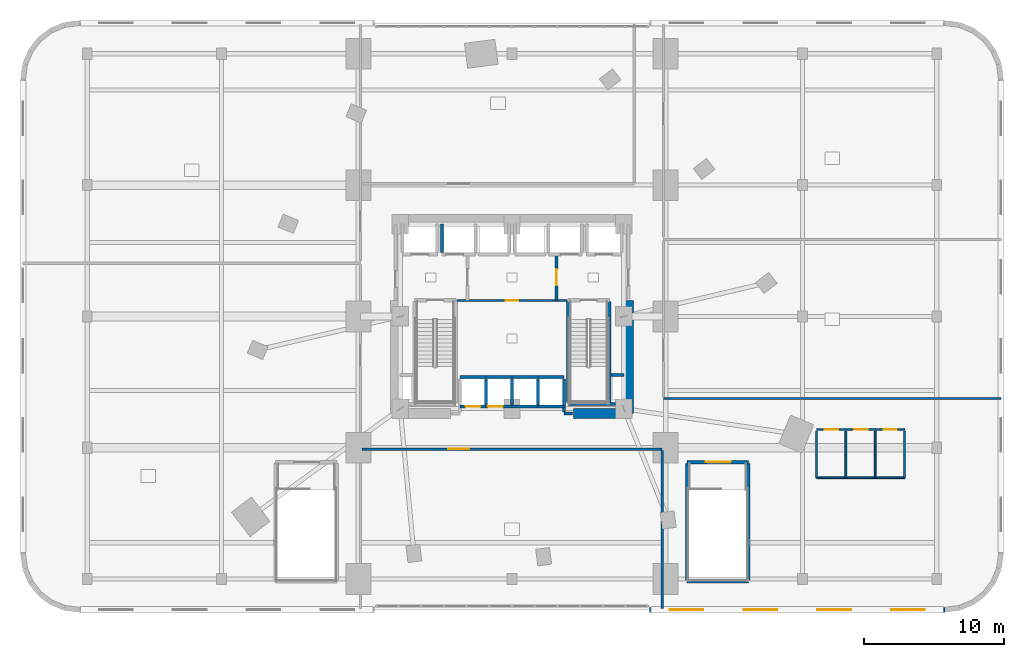
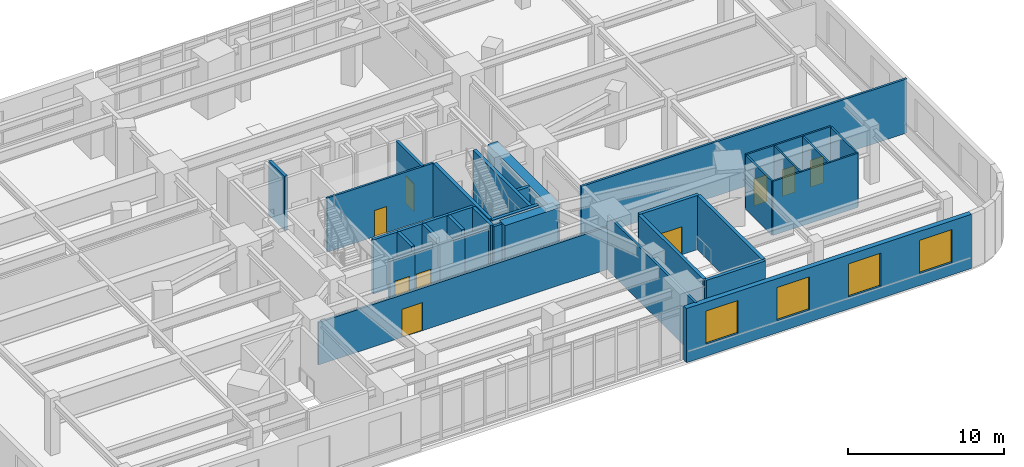
# One storey, part 15 of 20: 38 walls, 9 doors, 4 windows, 13 openings.
"""IFC4 building model written with IfcOpenShell, lengths in metres."""

from ifc_helpers import new_model, si_unit, direction, frame, frame_2d, origin, place, context, subcontext, project, spatial, rectangle, extrude, material, layer, layer_set, type_object, element, fill, save


model = new_model("IFC4")

# Units and contexts
model_context = context("Model", 3, precision=1e-05, world=origin(), true_north=direction((0.0, 1.0)))
body_context = subcontext(model_context, "Body", "Model", "MODEL_VIEW")
ifc_project = project(units=[si_unit("LENGTHUNIT", "METRE"), si_unit("AREAUNIT", "SQUARE_METRE"), si_unit("VOLUMEUNIT", "CUBIC_METRE"), si_unit("PLANEANGLEUNIT", "RADIAN"), si_unit("MASSUNIT", "GRAM", prefix="KILO")], contexts=[model_context])

# Site, building, storey
site_placement = place(None, origin())
site = spatial("IfcSite", under=ifc_project, at=site_placement, CompositionType="ELEMENT")
building_placement = place(site_placement, origin())
building = spatial("IfcBuilding", under=site, at=building_placement, Name="Ndelora Gate Hotel", CompositionType="ELEMENT")
storey_placement = place(building_placement, frame((0.0, 0.0, 26.0)))
storey = spatial("IfcBuildingStorey", under=building, at=storey_placement, Name="L05", CompositionType="ELEMENT", Elevation=26.0)

# Wall, openings, windows
ifc_material_1 = material(Name="Clay Brick Masonry", Category="masonry")
ifc_layer_1 = layer(ifc_material_1, 0.360107421875)
ifc_layer_set_1 = layer_set([ifc_layer_1], Name="Clay Brick Masonry")
wall_type_1 = type_object("IfcWallType", Name="WL-BRICK-360", PredefinedType="SOLIDWALL", material=ifc_layer_set_1)
wall_1_placement = place(storey_placement, frame((31.0, -21.0, 0.0), z_axis=(0.0, 0.0, 1.0), x_axis=(-1.0, 0.0, 0.0)))
wall_1 = element("IfcWall", 1, at=wall_1_placement, inside=storey, type_object=wall_type_1, Name="L05 Exterior Brick Pier-and-Spandrel Wall 30", PredefinedType="SOLIDWALL", context=body_context, shape_type="SweptSolid", body=[
    extrude(rectangle(XDim=21.14990234375, YDim=0.360107421875, at=frame_2d((10.574951171875, 0.0))), origin(), (0.0, 0.0, 1.0), 4.25),
])
opening_1_placement = place(wall_1_placement, frame((1.443603515625, 0.0, 0.949951171875)))
opening_1 = element("IfcOpeningElement", 2, at=opening_1_placement, cuts=wall_1, Name="Opening W04", PredefinedType="OPENING", context=body_context, shape_type="SweptSolid", body=[
    extrude(rectangle(XDim=2.39990234375, YDim=2.60009765625, at=frame_2d((1.199951171875, 1.300048828125))), frame((0.0, 0.18994140625, 0.0), z_axis=(0.0, -1.0, 0.0), x_axis=(1.0, 0.0, 0.0)), (0.0, 0.0, 1.0), 0.380126953125),
])
opening_2_placement = place(wall_1_placement, frame((6.731201171875, 0.0, 0.949951171875)))
opening_2 = element("IfcOpeningElement", 3, at=opening_2_placement, cuts=wall_1, Name="Opening W04", PredefinedType="OPENING", context=body_context, shape_type="SweptSolid", body=[
    extrude(rectangle(XDim=2.39990234375, YDim=2.60009765625, at=frame_2d((1.199951171875, 1.300048828125))), frame((0.0, 0.18994140625, 0.0), z_axis=(0.0, -1.0, 0.0), x_axis=(1.0, 0.0, 0.0)), (0.0, 0.0, 1.0), 0.380126953125),
])
opening_3_placement = place(wall_1_placement, frame((12.018798828125, 0.0, 0.949951171875)))
opening_3 = element("IfcOpeningElement", 4, at=opening_3_placement, cuts=wall_1, Name="Opening W04", PredefinedType="OPENING", context=body_context, shape_type="SweptSolid", body=[
    extrude(rectangle(XDim=2.39990234375, YDim=2.60009765625, at=frame_2d((1.199951171875, 1.300048828125))), frame((0.0, 0.18994140625, 0.0), z_axis=(0.0, -1.0, 0.0), x_axis=(1.0, 0.0, 0.0)), (0.0, 0.0, 1.0), 0.380126953125),
])
opening_4_placement = place(wall_1_placement, frame((17.30615234375, 0.0, 0.949951171875)))
opening_4 = element("IfcOpeningElement", 5, at=opening_4_placement, cuts=wall_1, Name="Opening W04", PredefinedType="OPENING", context=body_context, shape_type="SweptSolid", body=[
    extrude(rectangle(XDim=2.39990234375, YDim=2.60009765625, at=frame_2d((1.199951171875, 1.300048828125))), frame((0.0, 0.18994140625, 0.0), z_axis=(0.0, -1.0, 0.0), x_axis=(1.0, 0.0, 0.0)), (0.0, 0.0, 1.0), 0.380126953125),
])
ifc_material_2 = material(Name="Insulated Low-E Double Glazing in Bronze Aluminium Frame", Category="aluminium")
window_type = type_object("IfcWindowType", Name="WN-POD-2400", PartitioningType="SINGLE_PANEL", PredefinedType="WINDOW", material=ifc_material_2)
window_1_placement = place(opening_1_placement, origin())
window_1 = element("IfcWindow", 6, at=window_1_placement, inside=storey, type_object=window_type, Name="L05 Deep-Set Podium Brick-Frame Window W04", OverallHeight=2.60009765625, OverallWidth=2.39990234375, PartitioningType="SINGLE_PANEL", PredefinedType="WINDOW", context=body_context, shape_type="SweptSolid", body=[
    extrude(rectangle(XDim=2.39990234375, YDim=2.60009765625, at=frame_2d((1.199951171875, 1.300048828125))), frame((0.0, 0.030029296875, 0.0), z_axis=(0.0, -1.0, 0.0), x_axis=(1.0, 0.0, 0.0)), (0.0, 0.0, 1.0), 0.06005859375),
])
fill(opening_1, window_1)
window_2_placement = place(opening_2_placement, origin())
window_2 = element("IfcWindow", 7, at=window_2_placement, inside=storey, type_object=window_type, Name="L05 Deep-Set Podium Brick-Frame Window W04", OverallHeight=2.60009765625, OverallWidth=2.39990234375, PartitioningType="SINGLE_PANEL", PredefinedType="WINDOW", context=body_context, shape_type="SweptSolid", body=[
    extrude(rectangle(XDim=2.39990234375, YDim=2.60009765625, at=frame_2d((1.199951171875, 1.300048828125))), frame((0.0, 0.030029296875, 0.0), z_axis=(0.0, -1.0, 0.0), x_axis=(1.0, 0.0, 0.0)), (0.0, 0.0, 1.0), 0.06005859375),
])
fill(opening_2, window_2)
window_3_placement = place(opening_3_placement, origin())
window_3 = element("IfcWindow", 8, at=window_3_placement, inside=storey, type_object=window_type, Name="L05 Deep-Set Podium Brick-Frame Window W04", OverallHeight=2.60009765625, OverallWidth=2.39990234375, PartitioningType="SINGLE_PANEL", PredefinedType="WINDOW", context=body_context, shape_type="SweptSolid", body=[
    extrude(rectangle(XDim=2.39990234375, YDim=2.60009765625, at=frame_2d((1.199951171875, 1.300048828125))), frame((0.0, 0.030029296875, 0.0), z_axis=(0.0, -1.0, 0.0), x_axis=(1.0, 0.0, 0.0)), (0.0, 0.0, 1.0), 0.06005859375),
])
fill(opening_3, window_3)
window_4_placement = place(opening_4_placement, origin())
window_4 = element("IfcWindow", 9, at=window_4_placement, inside=storey, type_object=window_type, Name="L05 Deep-Set Podium Brick-Frame Window W04", OverallHeight=2.60009765625, OverallWidth=2.39990234375, PartitioningType="SINGLE_PANEL", PredefinedType="WINDOW", context=body_context, shape_type="SweptSolid", body=[
    extrude(rectangle(XDim=2.39990234375, YDim=2.60009765625, at=frame_2d((1.199951171875, 1.300048828125))), frame((0.0, 0.030029296875, 0.0), z_axis=(0.0, -1.0, 0.0), x_axis=(1.0, 0.0, 0.0)), (0.0, 0.0, 1.0), 0.06005859375),
])
fill(opening_4, window_4)

# Walls
ifc_material_3 = material(Name="Concrete C60/75", Category="concrete")
ifc_layer_2 = layer(ifc_material_3, 0.699951171875)
ifc_layer_set_2 = layer_set([ifc_layer_2], Name="Concrete C60/75")
wall_type_2 = type_object("IfcWallType", Name="WL-CORE-700", PredefinedType="SHEAR", material=ifc_layer_set_2)
wall_2_placement = place(storey_placement, frame((4.39990234375, -6.949951171875, 0.0), z_axis=(0.0, 0.0, 1.0), x_axis=(1.0, 0.0, 0.0)))
element("IfcWall", 10, at=wall_2_placement, inside=storey, type_object=wall_type_2, Name="L05 Core Shear Wall S-E", PredefinedType="SHEAR", context=body_context, shape_type="SweptSolid", body=[
    extrude(rectangle(XDim=3.9501953125, YDim=0.699951171875, at=frame_2d((1.97509765625, 0.0))), origin(), (0.0, 0.0, 1.0), 4.25),
])
wall_3_placement = place(storey_placement, frame((8.35009765625, -6.949951171875, 0.0), z_axis=(0.0, 0.0, 1.0), x_axis=(0.0, 1.0, 0.0)))
element("IfcWall", 11, at=wall_3_placement, inside=storey, type_object=wall_type_2, Name="L05 Core Shear Wall E", PredefinedType="SHEAR", context=body_context, shape_type="SweptSolid", body=[
    extrude(rectangle(XDim=8.099853515625, YDim=0.699951171875, at=frame_2d((4.0498046875, 0.0))), origin(), (0.0, 0.0, 1.0), 4.25),
])

# Wall, opening, door
ifc_material_4 = material(Name="Concrete C40/50", Category="concrete")
ifc_layer_3 = layer(ifc_material_4, 0.199951171875)
ifc_layer_set_3 = layer_set([ifc_layer_3], Name="Concrete C40/50")
wall_type_3 = type_object("IfcWallType", Name="WL-FIRE-200", PredefinedType="PARTITIONING", material=ifc_layer_set_3)
wall_4_placement = place(storey_placement, frame((3.179931640625, 1.14990234375, 0.0), z_axis=(0.0, 0.0, 1.0), x_axis=(0.0, 1.0, 0.0)))
wall_4 = element("IfcWall", 12, at=wall_4_placement, inside=storey, type_object=wall_type_3, Name="L05 Interior Wall IW-2", PredefinedType="PARTITIONING", context=body_context, shape_type="SweptSolid", body=[
    extrude(rectangle(XDim=3.300048828125, YDim=0.199951171875, at=frame_2d((1.64990234375, 0.0))), origin(), (0.0, 0.0, 1.0), 4.25),
])
opening_5_placement = place(wall_4_placement, frame((1.080078125, 0.0, 0.0)))
opening_5 = element("IfcOpeningElement", 13, at=opening_5_placement, cuts=wall_4, Name="Opening FD1", PredefinedType="OPENING", context=body_context, shape_type="SweptSolid", body=[
    extrude(rectangle(XDim=1.14990234375, YDim=2.14990234375, at=frame_2d((0.574951171875, 1.074951171875))), frame((0.0, 0.10986328125, 0.0), z_axis=(0.0, -1.0, 0.0), x_axis=(1.0, 0.0, 0.0)), (0.0, 0.0, 1.0), 0.219970703125),
])
ifc_material_5 = material(Name="Fire-Rated Timber-Veneer Steel Core", Category="steel")
door_type_1 = type_object("IfcDoorType", Name="DR-FD60", OperationType="SINGLE_SWING_LEFT", PredefinedType="DOOR", material=ifc_material_5)
door_1_placement = place(opening_5_placement, origin())
door_1 = element("IfcDoor", 14, at=door_1_placement, inside=storey, type_object=door_type_1, Name="L05 Firefighting Lobby East Door", OperationType="SINGLE_SWING_LEFT", OverallHeight=2.14990234375, OverallWidth=1.14990234375, PredefinedType="DOOR", context=body_context, shape_type="SweptSolid", body=[
    extrude(rectangle(XDim=1.14990234375, YDim=2.14990234375, at=frame_2d((0.574951171875, 1.074951171875))), frame((0.0, 0.02490234375, 0.0), z_axis=(0.0, -1.0, 0.0), x_axis=(1.0, 0.0, 0.0)), (0.0, 0.0, 1.0), 0.050048828125),
])
fill(opening_5, door_1)

# Wall
wall_5_placement = place(storey_placement, frame((3.719970703125, -6.949951171875, 0.0), z_axis=(0.0, 0.0, 1.0), x_axis=(1.0, 0.0, 0.0)))
element("IfcWall", 15, at=wall_5_placement, inside=storey, type_object=wall_type_3, Name="L05 Interior Wall IW-2", PredefinedType="PARTITIONING", context=body_context, shape_type="SweptSolid", body=[
    extrude(rectangle(XDim=0.60009765625, YDim=0.199951171875, at=frame_2d((0.300048828125, 0.0))), origin(), (0.0, 0.0, 1.0), 4.25),
])

# Wall, opening, door
ifc_material_6 = material(Name="Fire-Rated Gypsum Stud Partition", Category="gypsum")
ifc_layer_4 = layer(ifc_material_6, 0.14990234375)
ifc_layer_set_4 = layer_set([ifc_layer_4], Name="Fire-Rated Gypsum Stud Partition")
wall_type_4 = type_object("IfcWallType", Name="WL-PART-150", PredefinedType="PARTITIONING", material=ifc_layer_set_4)
wall_6_placement = place(storey_placement, frame((3.949951171875, 1.14990234375, 0.0), z_axis=(0.0, 0.0, 1.0), x_axis=(-1.0, 0.0, 0.0)))
wall_6 = element("IfcWall", 16, at=wall_6_placement, inside=storey, type_object=wall_type_4, Name="L05 Interior Wall IW-5", PredefinedType="PARTITIONING", context=body_context, shape_type="SweptSolid", body=[
    extrude(rectangle(XDim=7.89990234375, YDim=0.14990234375, at=frame_2d((3.949951171875, 0.0))), origin(), (0.0, 0.0, 1.0), 4.25),
])
opening_6_placement = place(wall_6_placement, frame((3.489990234375, 0.0, 0.0)))
opening_6 = element("IfcOpeningElement", 17, at=opening_6_placement, cuts=wall_6, Name="Opening D04", PredefinedType="OPENING", context=body_context, shape_type="SweptSolid", body=[
    extrude(rectangle(XDim=0.919921875, YDim=2.050048828125, at=frame_2d((0.4599609375, 1.02490234375))), frame((0.0, 0.0849609375, 0.0), z_axis=(0.0, -1.0, 0.0), x_axis=(1.0, 0.0, 0.0)), (0.0, 0.0, 1.0), 0.169921875),
])
ifc_material_7 = material(Name="Painted Steel Core Service Door", Category="steel")
door_type_2 = type_object("IfcDoorType", Name="DR-SER-920", OperationType="SINGLE_SWING_LEFT", PredefinedType="DOOR", material=ifc_material_7)
door_2_placement = place(opening_6_placement, origin())
door_2 = element("IfcDoor", 18, at=door_2_placement, inside=storey, type_object=door_type_2, Name="L05 Core Electrical and Linen Service Store Door", OperationType="SINGLE_SWING_LEFT", OverallHeight=2.050048828125, OverallWidth=0.919921875, PredefinedType="DOOR", context=body_context, shape_type="SweptSolid", body=[
    extrude(rectangle(XDim=0.919921875, YDim=2.050048828125, at=frame_2d((0.4599609375, 1.02490234375))), frame((0.0, 0.02490234375, 0.0), z_axis=(0.0, -1.0, 0.0), x_axis=(1.0, 0.0, 0.0)), (0.0, 0.0, 1.0), 0.050048828125),
])
fill(opening_6, door_2)

# Wall
ifc_layer_5 = layer(ifc_material_6, 0.159912109375)
ifc_layer_set_5 = layer_set([ifc_layer_5], Name="Fire-Rated Gypsum Stud Partition")
wall_type_5 = type_object("IfcWallType", Name="WL-PART-160", PredefinedType="PARTITIONING", material=ifc_layer_set_5)
wall_7_placement = place(storey_placement, frame((10.85009765625, -5.8798828125, 0.0), z_axis=(0.0, 0.0, 1.0), x_axis=(1.0, 0.0, 0.0)))
element("IfcWall", 19, at=wall_7_placement, inside=storey, type_object=wall_type_5, Name="L05 Interior Wall IW-4", PredefinedType="PARTITIONING", context=body_context, shape_type="SweptSolid", body=[
    extrude(rectangle(XDim=24.14990234375, YDim=0.159912109375, at=frame_2d((12.074951171875, 0.0))), origin(), (0.0, 0.0, 1.0), 4.25),
])

# Wall, opening, door
wall_8_placement = place(storey_placement, frame((10.75, -9.5, 0.0), z_axis=(0.0, 0.0, 1.0), x_axis=(-1.0, 0.0, 0.0)))
wall_8 = element("IfcWall", 20, at=wall_8_placement, inside=storey, type_object=wall_type_5, Name="L05 Interior Wall IW-4", PredefinedType="PARTITIONING", context=body_context, shape_type="SweptSolid", body=[
    extrude(rectangle(XDim=21.5, YDim=0.159912109375, at=frame_2d((10.75, 0.0))), origin(), (0.0, 0.0, 1.0), 3.330078125),
])
opening_7_placement = place(wall_8_placement, frame((13.800048828125, 0.0, 0.0)))
opening_7 = element("IfcOpeningElement", 21, at=opening_7_placement, cuts=wall_8, Name="Opening D06", PredefinedType="OPENING", context=body_context, shape_type="SweptSolid", body=[
    extrude(rectangle(XDim=1.5, YDim=2.199951171875, at=frame_2d((0.75, 1.10009765625))), frame((0.0, 0.08984375, 0.0), z_axis=(0.0, -1.0, 0.0), x_axis=(1.0, 0.0, 0.0)), (0.0, 0.0, 1.0), 0.179931640625),
])
ifc_material_8 = material(Name="Podium Salon Double Leaf Door", Category="wood")
door_type_3 = type_object("IfcDoorType", Name="DR-POD-1500", OperationType="DOUBLE_DOOR_SINGLE_SWING", PredefinedType="DOOR", material=ifc_material_8)
door_3_placement = place(opening_7_placement, origin())
door_3 = element("IfcDoor", 22, at=door_3_placement, inside=storey, type_object=door_type_3, Name="L05 South Conference Salon Door", OperationType="DOUBLE_DOOR_SINGLE_SWING", OverallHeight=2.199951171875, OverallWidth=1.5, PredefinedType="DOOR", context=body_context, shape_type="SweptSolid", body=[
    extrude(rectangle(XDim=1.5, YDim=2.199951171875, at=frame_2d((0.75, 1.10009765625))), frame((0.0, 0.02490234375, 0.0), z_axis=(0.0, -1.0, 0.0), x_axis=(1.0, 0.0, 0.0)), (0.0, 0.0, 1.0), 0.050048828125),
])
fill(opening_7, door_3)

# Walls
wall_9_placement = place(storey_placement, frame((10.75, -20.89990234375, 0.0), z_axis=(0.0, 0.0, 1.0), x_axis=(0.0, 1.0, 0.0)))
element("IfcWall", 23, at=wall_9_placement, inside=storey, type_object=wall_type_5, Name="L05 Interior Wall IW-4", PredefinedType="PARTITIONING", context=body_context, shape_type="SweptSolid", body=[
    extrude(rectangle(XDim=11.2998046875, YDim=0.159912109375, at=frame_2d((5.64990234375, 0.0))), origin(), (0.0, 0.0, 1.0), 4.25),
])
ifc_layer_6 = layer(ifc_material_4, 0.219970703125)
ifc_layer_set_6 = layer_set([ifc_layer_6], Name="Concrete C40/50")
wall_type_6 = type_object("IfcWallType", Name="WL-SHAFT-220", PredefinedType="PARTITIONING", material=ifc_layer_set_6)
wall_10_placement = place(storey_placement, frame((7.090087890625, -4.199951171875, 0.0), z_axis=(0.0, 0.0, 1.0), x_axis=(1.0, 0.0, 0.0)))
element("IfcWall", 24, at=wall_10_placement, inside=storey, type_object=wall_type_6, Name="L05 Interior Wall IW-1", PredefinedType="PARTITIONING", context=body_context, shape_type="SweptSolid", body=[
    extrude(rectangle(XDim=0.909912109375, YDim=0.219970703125, at=frame_2d((0.455078125, 0.0))), origin(), (0.0, 0.0, 1.0), 4.25),
])
wall_11_placement = place(storey_placement, frame((-5.0, 4.570068359375, 0.0), z_axis=(0.0, 0.0, 1.0), x_axis=(0.0, 1.0, 0.0)))
element("IfcWall", 25, at=wall_11_placement, inside=storey, type_object=wall_type_6, Name="L05 Interior Wall IW-1", PredefinedType="PARTITIONING", context=body_context, shape_type="SweptSolid", body=[
    extrude(rectangle(XDim=2.030029296875, YDim=0.219970703125, at=frame_2d((1.01513671875, 0.0))), origin(), (0.0, 0.0, 1.0), 4.25),
])

# Wall, opening, door
wall_12_placement = place(storey_placement, frame((-3.719970703125, -6.449951171875, 0.0), z_axis=(0.0, 0.0, 1.0), x_axis=(1.0, 0.0, 0.0)))
wall_12 = element("IfcWall", 26, at=wall_12_placement, inside=storey, type_object=wall_type_6, Name="L05 Interior Wall IW-1", PredefinedType="PARTITIONING", context=body_context, shape_type="SweptSolid", body=[
    extrude(rectangle(XDim=1.85986328125, YDim=0.219970703125, at=frame_2d((0.929931640625, 0.0))), origin(), (0.0, 0.0, 1.0), 3.830078125),
])
opening_8_placement = place(wall_12_placement, frame((0.39990234375, 0.0, 0.0)))
opening_8 = element("IfcOpeningElement", 27, at=opening_8_placement, cuts=wall_12, Name="Opening LD1", PredefinedType="OPENING", context=body_context, shape_type="SweptSolid", body=[
    extrude(rectangle(XDim=1.06005859375, YDim=2.14990234375, at=frame_2d((0.530029296875, 1.074951171875))), frame((0.0, 0.1201171875, 0.0), z_axis=(0.0, -1.0, 0.0), x_axis=(1.0, 0.0, 0.0)), (0.0, 0.0, 1.0), 0.239990234375),
])
ifc_material_9 = material(Name="Brushed Bronze Stainless Lift Landing Door", Category="metal")
door_type_4 = type_object("IfcDoorType", Name="DR-LD1", OperationType="DOUBLE_DOOR_SLIDING", PredefinedType="DOOR", material=ifc_material_9)
door_4_placement = place(opening_8_placement, origin())
door_4 = element("IfcDoor", 28, at=door_4_placement, inside=storey, type_object=door_type_4, Name="L05 Lift Landing Sliding Door P1A", OperationType="DOUBLE_DOOR_SLIDING", OverallHeight=2.14990234375, OverallWidth=1.06005859375, PredefinedType="DOOR", context=body_context, shape_type="SweptSolid", body=[
    extrude(rectangle(XDim=1.06005859375, YDim=2.14990234375, at=frame_2d((0.530029296875, 1.074951171875))), frame((0.0, 0.02490234375, 0.0), z_axis=(0.0, -1.0, 0.0), x_axis=(1.0, 0.0, 0.0)), (0.0, 0.0, 1.0), 0.050048828125),
])
fill(opening_8, door_4)

# Walls
wall_13_placement = place(storey_placement, frame((-3.719970703125, -4.35009765625, 0.0), z_axis=(0.0, 0.0, 1.0), x_axis=(1.0, 0.0, 0.0)))
element("IfcWall", 29, at=wall_13_placement, inside=storey, type_object=wall_type_6, Name="L05 Interior Wall IW-1", PredefinedType="PARTITIONING", context=body_context, shape_type="SweptSolid", body=[
    extrude(rectangle(XDim=1.85986328125, YDim=0.219970703125, at=frame_2d((0.929931640625, 0.0))), origin(), (0.0, 0.0, 1.0), 4.25),
])
wall_14_placement = place(storey_placement, frame((-1.860107421875, -6.330078125, 0.0), z_axis=(0.0, 0.0, 1.0), x_axis=(0.0, 1.0, 0.0)))
element("IfcWall", 30, at=wall_14_placement, inside=storey, type_object=wall_type_6, Name="L05 Interior Wall IW-1", PredefinedType="PARTITIONING", context=body_context, shape_type="SweptSolid", body=[
    extrude(rectangle(XDim=1.860107421875, YDim=0.219970703125, at=frame_2d((0.93017578125, 0.0))), origin(), (0.0, 0.0, 1.0), 4.25),
])

# Wall, opening, door
wall_15_placement = place(storey_placement, frame((-1.860107421875, -6.449951171875, 0.0), z_axis=(0.0, 0.0, 1.0), x_axis=(1.0, 0.0, 0.0)))
wall_15 = element("IfcWall", 31, at=wall_15_placement, inside=storey, type_object=wall_type_6, Name="L05 Interior Wall IW-1", PredefinedType="PARTITIONING", context=body_context, shape_type="SweptSolid", body=[
    extrude(rectangle(XDim=1.860107421875, YDim=0.219970703125, at=frame_2d((0.93017578125, 0.0))), origin(), (0.0, 0.0, 1.0), 3.830078125),
])
opening_9_placement = place(wall_15_placement, frame((0.139892578125, 0.0, 0.0)))
opening_9 = element("IfcOpeningElement", 32, at=opening_9_placement, cuts=wall_15, Name="Opening LD1", PredefinedType="OPENING", context=body_context, shape_type="SweptSolid", body=[
    extrude(rectangle(XDim=1.06005859375, YDim=2.14990234375, at=frame_2d((0.530029296875, 1.074951171875))), frame((0.0, 0.1201171875, 0.0), z_axis=(0.0, -1.0, 0.0), x_axis=(1.0, 0.0, 0.0)), (0.0, 0.0, 1.0), 0.239990234375),
])
door_5_placement = place(opening_9_placement, origin())
door_5 = element("IfcDoor", 33, at=door_5_placement, inside=storey, type_object=door_type_4, Name="L05 Lift Landing Sliding Door P1B", OperationType="DOUBLE_DOOR_SLIDING", OverallHeight=2.14990234375, OverallWidth=1.06005859375, PredefinedType="DOOR", context=body_context, shape_type="SweptSolid", body=[
    extrude(rectangle(XDim=1.06005859375, YDim=2.14990234375, at=frame_2d((0.530029296875, 1.074951171875))), frame((0.0, 0.02490234375, 0.0), z_axis=(0.0, -1.0, 0.0), x_axis=(1.0, 0.0, 0.0)), (0.0, 0.0, 1.0), 0.050048828125),
])
fill(opening_9, door_5)

# Walls
for number, where, z_axis, x_axis, name in (
    (34, (-1.860107421875, -4.35009765625, 0.0), (0.0, 0.0, 1.0), (1.0, 0.0, 0.0), "L05 Interior Wall IW-1"),
    (35, (0.0, -6.330078125, 0.0), (0.0, 0.0, 1.0), (0.0, 1.0, 0.0), "L05 Interior Wall IW-1"),
):
    element("IfcWall", number, at=place(storey_placement, frame(where, z_axis=z_axis, x_axis=x_axis)), inside=storey, type_object=wall_type_6, Name=name, PredefinedType="PARTITIONING", context=body_context, shape_type="SweptSolid", body=[
        extrude(rectangle(XDim=1.860107421875, YDim=0.219970703125, at=frame_2d((0.93017578125, 0.0))), origin(), (0.0, 0.0, 1.0), 4.25),
    ])
wall_16_placement = place(storey_placement, frame((0.0, -6.449951171875, 0.0), z_axis=(0.0, 0.0, 1.0), x_axis=(1.0, 0.0, 0.0)))
element("IfcWall", 36, at=wall_16_placement, inside=storey, type_object=wall_type_6, Name="L05 Interior Wall IW-1", PredefinedType="PARTITIONING", context=body_context, shape_type="SweptSolid", body=[
    extrude(rectangle(XDim=1.860107421875, YDim=0.219970703125, at=frame_2d((0.93017578125, 0.0))), origin(), (0.0, 0.0, 1.0), 3.830078125),
])
for number, where, z_axis, x_axis, name in (
    (37, (0.0, -4.35009765625, 0.0), (0.0, 0.0, 1.0), (1.0, 0.0, 0.0), "L05 Interior Wall IW-1"),
    (38, (1.860107421875, -6.330078125, 0.0), (0.0, 0.0, 1.0), (0.0, 1.0, 0.0), "L05 Interior Wall IW-1"),
):
    element("IfcWall", number, at=place(storey_placement, frame(where, z_axis=z_axis, x_axis=x_axis)), inside=storey, type_object=wall_type_6, Name=name, PredefinedType="PARTITIONING", context=body_context, shape_type="SweptSolid", body=[
        extrude(rectangle(XDim=1.860107421875, YDim=0.219970703125, at=frame_2d((0.93017578125, 0.0))), origin(), (0.0, 0.0, 1.0), 4.25),
    ])
wall_17_placement = place(storey_placement, frame((1.860107421875, -6.449951171875, 0.0), z_axis=(0.0, 0.0, 1.0), x_axis=(1.0, 0.0, 0.0)))
element("IfcWall", 39, at=wall_17_placement, inside=storey, type_object=wall_type_6, Name="L05 Interior Wall IW-1", PredefinedType="PARTITIONING", context=body_context, shape_type="SweptSolid", body=[
    extrude(rectangle(XDim=1.85986328125, YDim=0.219970703125, at=frame_2d((0.929931640625, 0.0))), origin(), (0.0, 0.0, 1.0), 3.830078125),
])
wall_18_placement = place(storey_placement, frame((1.860107421875, -4.35009765625, 0.0), z_axis=(0.0, 0.0, 1.0), x_axis=(1.0, 0.0, 0.0)))
element("IfcWall", 40, at=wall_18_placement, inside=storey, type_object=wall_type_6, Name="L05 Interior Wall IW-1", PredefinedType="PARTITIONING", context=body_context, shape_type="SweptSolid", body=[
    extrude(rectangle(XDim=1.85986328125, YDim=0.219970703125, at=frame_2d((0.929931640625, 0.0))), origin(), (0.0, 0.0, 1.0), 4.25),
])
wall_19_placement = place(storey_placement, frame((3.719970703125, -6.830078125, 0.0), z_axis=(0.0, 0.0, 1.0), x_axis=(0.0, 1.0, 0.0)))
element("IfcWall", 41, at=wall_19_placement, inside=storey, type_object=wall_type_6, Name="L05 Interior Wall IW-1", PredefinedType="PARTITIONING", context=body_context, shape_type="SweptSolid", body=[
    extrude(rectangle(XDim=2.360107421875, YDim=0.219970703125, at=frame_2d((1.18017578125, 0.0))), origin(), (0.0, 0.0, 1.0), 4.25),
])
ifc_material_10 = material(Name="Concrete C50/60", Category="concrete")
ifc_layer_7 = layer(ifc_material_10, 0.239990234375)
ifc_layer_set_7 = layer_set([ifc_layer_7], Name="Concrete C50/60")
wall_type_7 = type_object("IfcWallType", Name="WL-STAIR-240", PredefinedType="SHEAR", material=ifc_layer_set_7)
for number, where, z_axis, x_axis, name in (
    (42, (4.010009765625, -6.159912109375, 0.0), (0.0, 0.0, 1.0), (0.0, 1.0, 0.0), "L05 Stair Core Shear Wall SW-ST"),
    (43, (6.969970703125, -6.159912109375, 0.0), (0.0, 0.0, 1.0), (0.0, 1.0, 0.0), "L05 Stair Core Shear Wall SW-ST"),
):
    element("IfcWall", number, at=place(storey_placement, frame(where, z_axis=z_axis, x_axis=x_axis)), inside=storey, type_object=wall_type_7, Name=name, PredefinedType="SHEAR", context=body_context, shape_type="SweptSolid", body=[
        extrude(rectangle(XDim=7.219970703125, YDim=0.239990234375, at=frame_2d((3.60986328125, 0.0))), origin(), (0.0, 0.0, 1.0), 4.25),
    ])
wall_20_placement = place(storey_placement, frame((4.010009765625, -6.27001953125, 0.0), z_axis=(0.0, 0.0, 1.0), x_axis=(1.0, 0.0, 0.0)))
element("IfcWall", 44, at=wall_20_placement, inside=storey, type_object=wall_type_7, Name="L05 Stair Core Shear Wall SW-ST", PredefinedType="SHEAR", context=body_context, shape_type="SweptSolid", body=[
    extrude(rectangle(XDim=3.4150390625, YDim=0.239990234375, at=frame_2d((1.70751953125, 0.0))), origin(), (0.0, 0.0, 1.0), 4.25),
])
for number, where, z_axis, x_axis, name in (
    (45, (12.5400390625, -18.860107421875, 0.0), (0.0, 0.0, 1.0), (0.0, 1.0, 0.0), "L05 Stair Core Shear Wall SW-ST"),
    (46, (16.919921875, -18.860107421875, 0.0), (0.0, 0.0, 1.0), (0.0, 1.0, 0.0), "L05 Stair Core Shear Wall SW-ST"),
):
    element("IfcWall", number, at=place(storey_placement, frame(where, z_axis=z_axis, x_axis=x_axis)), inside=storey, type_object=wall_type_7, Name=name, PredefinedType="SHEAR", context=body_context, shape_type="SweptSolid", body=[
        extrude(rectangle(XDim=8.320068359375, YDim=0.239990234375, at=frame_2d((4.16015625, 0.0))), origin(), (0.0, 0.0, 1.0), 4.25),
    ])
wall_21_placement = place(storey_placement, frame((12.5400390625, -18.969970703125, 0.0), z_axis=(0.0, 0.0, 1.0), x_axis=(1.0, 0.0, 0.0)))
element("IfcWall", 47, at=wall_21_placement, inside=storey, type_object=wall_type_7, Name="L05 Stair Core Shear Wall SW-ST", PredefinedType="SHEAR", context=body_context, shape_type="SweptSolid", body=[
    extrude(rectangle(XDim=4.3798828125, YDim=0.239990234375, at=frame_2d((2.18994140625, 0.0))), origin(), (0.0, 0.0, 1.0), 4.25),
])

# Wall, opening, door
wall_22_placement = place(storey_placement, frame((16.919921875, -10.429931640625, 0.0), z_axis=(0.0, 0.0, 1.0), x_axis=(-1.0, 0.0, 0.0)))
wall_22 = element("IfcWall", 48, at=wall_22_placement, inside=storey, type_object=wall_type_7, Name="L05 Stair Core Shear Wall SW-ST", PredefinedType="SHEAR", context=body_context, shape_type="SweptSolid", body=[
    extrude(rectangle(XDim=4.3798828125, YDim=0.239990234375, at=frame_2d((2.18994140625, 0.0))), origin(), (0.0, 0.0, 1.0), 4.25),
])
opening_10_placement = place(wall_22_placement, frame((1.25, 0.0, 0.0)))
opening_10 = element("IfcOpeningElement", 49, at=opening_10_placement, cuts=wall_22, Name="Opening FD2", PredefinedType="OPENING", context=body_context, shape_type="SweptSolid", body=[
    extrude(rectangle(XDim=1.800048828125, YDim=2.199951171875, at=frame_2d((0.89990234375, 1.10009765625))), frame((0.0, 0.1298828125, 0.0), z_axis=(0.0, -1.0, 0.0), x_axis=(1.0, 0.0, 0.0)), (0.0, 0.0, 1.0), 0.260009765625),
])
ifc_material_11 = material(Name="Fire-Rated Double Exit Door", Category="wood")
door_type_5 = type_object("IfcDoorType", Name="DR-DBL-1800", OperationType="DOUBLE_DOOR_SINGLE_SWING", PredefinedType="DOOR", material=ifc_material_11)
door_6_placement = place(opening_10_placement, origin())
door_6 = element("IfcDoor", 50, at=door_6_placement, inside=storey, type_object=door_type_5, Name="L05 Ballroom Stair ST3B Door", OperationType="DOUBLE_DOOR_SINGLE_SWING", OverallHeight=2.199951171875, OverallWidth=1.800048828125, PredefinedType="DOOR", context=body_context, shape_type="SweptSolid", body=[
    extrude(rectangle(XDim=1.800048828125, YDim=2.199951171875, at=frame_2d((0.89990234375, 1.10009765625))), frame((0.0, 0.02490234375, 0.0), z_axis=(0.0, -1.0, 0.0), x_axis=(1.0, 0.0, 0.0)), (0.0, 0.0, 1.0), 0.050048828125),
])
fill(opening_10, door_6)

ifc_material_12 = material(Name="Moisture-Resistant Fire-Rated Tile Partition", Category="gypsum")
ifc_layer_8 = layer(ifc_material_12, 0.1298828125)
ifc_layer_set_8 = layer_set([ifc_layer_8], Name="Moisture-Resistant Fire-Rated Tile Partition")
wall_type_8 = type_object("IfcWallType", Name="WL-WET-RATED", PredefinedType="PARTITIONING", material=ifc_layer_set_8)
wall_23_placement = place(storey_placement, frame((23.89990234375, -8.10009765625, 0.0), z_axis=(0.0, 0.0, 1.0), x_axis=(-1.0, 0.0, 0.0)))
wall_23 = element("IfcWall", 51, at=wall_23_placement, inside=storey, type_object=wall_type_8, Name="L05 Interior Wall IW-6", PredefinedType="PARTITIONING", context=body_context, shape_type="SweptSolid", body=[
    extrude(rectangle(XDim=2.099853515625, YDim=0.1298828125, at=frame_2d((1.0498046875, 0.0))), origin(), (0.0, 0.0, 1.0), 4.25),
])
opening_11_placement = place(wall_23_placement, frame((0.550048828125, 0.0, 0.0)))
opening_11 = element("IfcOpeningElement", 52, at=opening_11_placement, cuts=wall_23, Name="Opening D05", PredefinedType="OPENING", context=body_context, shape_type="SweptSolid", body=[
    extrude(rectangle(XDim=0.949951171875, YDim=2.10009765625, at=frame_2d((0.47509765625, 1.050048828125))), frame((0.0, 0.074951171875, 0.0), z_axis=(0.0, -1.0, 0.0), x_axis=(1.0, 0.0, 0.0)), (0.0, 0.0, 1.0), 0.14990234375),
])
ifc_material_13 = material(Name="Accessible Restroom Wide-Clearance Door", Category="wood")
door_type_6 = type_object("IfcDoorType", Name="DR-ACC-950", OperationType="SINGLE_SWING_LEFT", PredefinedType="DOOR", material=ifc_material_13)
door_7_placement = place(opening_11_placement, origin())
door_7 = element("IfcDoor", 53, at=door_7_placement, inside=storey, type_object=door_type_6, Name="L05 Male Public Restroom Door", OperationType="SINGLE_SWING_LEFT", OverallHeight=2.10009765625, OverallWidth=0.949951171875, PredefinedType="DOOR", context=body_context, shape_type="SweptSolid", body=[
    extrude(rectangle(XDim=0.949951171875, YDim=2.10009765625, at=frame_2d((0.47509765625, 1.050048828125))), frame((0.0, 0.02490234375, 0.0), z_axis=(0.0, -1.0, 0.0), x_axis=(1.0, 0.0, 0.0)), (0.0, 0.0, 1.0), 0.050048828125),
])
fill(opening_11, door_7)

# Wall
wall_24_placement = place(storey_placement, frame((21.800048828125, -11.550048828125, 0.0), z_axis=(0.0, 0.0, 1.0), x_axis=(0.0, 1.0, 0.0)))
element("IfcWall", 54, at=wall_24_placement, inside=storey, type_object=wall_type_8, Name="L05 Interior Wall IW-6", PredefinedType="PARTITIONING", context=body_context, shape_type="SweptSolid", body=[
    extrude(rectangle(XDim=3.340087890625, YDim=0.1298828125, at=frame_2d((1.669921875, 0.0))), origin(), (0.0, 0.0, 1.0), 4.25),
])

# Wall, opening, door
wall_25_placement = place(storey_placement, frame((26.0, -8.10009765625, 0.0), z_axis=(0.0, 0.0, 1.0), x_axis=(-1.0, 0.0, 0.0)))
wall_25 = element("IfcWall", 55, at=wall_25_placement, inside=storey, type_object=wall_type_8, Name="L05 Interior Wall IW-6", PredefinedType="PARTITIONING", context=body_context, shape_type="SweptSolid", body=[
    extrude(rectangle(XDim=2.10009765625, YDim=0.1298828125, at=frame_2d((1.050048828125, 0.0))), origin(), (0.0, 0.0, 1.0), 4.25),
])
opening_12_placement = place(wall_25_placement, frame((0.550048828125, 0.0, 0.0)))
opening_12 = element("IfcOpeningElement", 56, at=opening_12_placement, cuts=wall_25, Name="Opening D05", PredefinedType="OPENING", context=body_context, shape_type="SweptSolid", body=[
    extrude(rectangle(XDim=0.949951171875, YDim=2.10009765625, at=frame_2d((0.47509765625, 1.050048828125))), frame((0.0, 0.074951171875, 0.0), z_axis=(0.0, -1.0, 0.0), x_axis=(1.0, 0.0, 0.0)), (0.0, 0.0, 1.0), 0.14990234375),
])
door_8_placement = place(opening_12_placement, origin())
door_8 = element("IfcDoor", 57, at=door_8_placement, inside=storey, type_object=door_type_6, Name="L05 Female Public Restroom Door", OperationType="SINGLE_SWING_RIGHT", OverallHeight=2.10009765625, OverallWidth=0.949951171875, PredefinedType="DOOR", context=body_context, shape_type="SweptSolid", body=[
    extrude(rectangle(XDim=0.949951171875, YDim=2.10009765625, at=frame_2d((0.47509765625, 1.050048828125))), frame((0.0, 0.02490234375, 0.0), z_axis=(0.0, -1.0, 0.0), x_axis=(1.0, 0.0, 0.0)), (0.0, 0.0, 1.0), 0.050048828125),
])
fill(opening_12, door_8)

# Wall
wall_26_placement = place(storey_placement, frame((23.89990234375, -11.550048828125, 0.0), z_axis=(0.0, 0.0, 1.0), x_axis=(0.0, 1.0, 0.0)))
element("IfcWall", 58, at=wall_26_placement, inside=storey, type_object=wall_type_8, Name="L05 Interior Wall IW-6", PredefinedType="PARTITIONING", context=body_context, shape_type="SweptSolid", body=[
    extrude(rectangle(XDim=3.340087890625, YDim=0.1298828125, at=frame_2d((1.669921875, 0.0))), origin(), (0.0, 0.0, 1.0), 4.25),
])

# Wall, opening, door
wall_27_placement = place(storey_placement, frame((28.10009765625, -8.10009765625, 0.0), z_axis=(0.0, 0.0, 1.0), x_axis=(-1.0, 0.0, 0.0)))
wall_27 = element("IfcWall", 59, at=wall_27_placement, inside=storey, type_object=wall_type_8, Name="L05 Interior Wall IW-6", PredefinedType="PARTITIONING", context=body_context, shape_type="SweptSolid", body=[
    extrude(rectangle(XDim=2.10009765625, YDim=0.1298828125, at=frame_2d((1.050048828125, 0.0))), origin(), (0.0, 0.0, 1.0), 4.25),
])
opening_13_placement = place(wall_27_placement, frame((0.550048828125, 0.0, 0.0)))
opening_13 = element("IfcOpeningElement", 60, at=opening_13_placement, cuts=wall_27, Name="Opening D05", PredefinedType="OPENING", context=body_context, shape_type="SweptSolid", body=[
    extrude(rectangle(XDim=0.949951171875, YDim=2.10009765625, at=frame_2d((0.47509765625, 1.050048828125))), frame((0.0, 0.074951171875, 0.0), z_axis=(0.0, -1.0, 0.0), x_axis=(1.0, 0.0, 0.0)), (0.0, 0.0, 1.0), 0.14990234375),
])
door_9_placement = place(opening_13_placement, origin())
door_9 = element("IfcDoor", 61, at=door_9_placement, inside=storey, type_object=door_type_6, Name="L05 Accessible WC Door", OperationType="SINGLE_SWING_LEFT", OverallHeight=2.10009765625, OverallWidth=0.949951171875, PredefinedType="DOOR", context=body_context, shape_type="SweptSolid", body=[
    extrude(rectangle(XDim=0.949951171875, YDim=2.10009765625, at=frame_2d((0.47509765625, 1.050048828125))), frame((0.0, 0.02490234375, 0.0), z_axis=(0.0, -1.0, 0.0), x_axis=(1.0, 0.0, 0.0)), (0.0, 0.0, 1.0), 0.050048828125),
])
fill(opening_13, door_9)

# Walls
for number, where, z_axis, x_axis, name in (
    (62, (26.0, -11.550048828125, 0.0), (0.0, 0.0, 1.0), (0.0, 1.0, 0.0), "L05 Interior Wall IW-6"),
    (63, (28.10009765625, -11.550048828125, 0.0), (0.0, 0.0, 1.0), (0.0, 1.0, 0.0), "L05 Interior Wall IW-6"),
):
    element("IfcWall", number, at=place(storey_placement, frame(where, z_axis=z_axis, x_axis=x_axis)), inside=storey, type_object=wall_type_8, Name=name, PredefinedType="PARTITIONING", context=body_context, shape_type="SweptSolid", body=[
        extrude(rectangle(XDim=3.340087890625, YDim=0.1298828125, at=frame_2d((1.669921875, 0.0))), origin(), (0.0, 0.0, 1.0), 4.25),
    ])
wall_28_placement = place(storey_placement, frame((21.800048828125, -11.550048828125, 0.0), z_axis=(0.0, 0.0, 1.0), x_axis=(1.0, 0.0, 0.0)))
element("IfcWall", 64, at=wall_28_placement, inside=storey, type_object=wall_type_8, Name="L05 Interior Wall IW-6", PredefinedType="PARTITIONING", context=body_context, shape_type="SweptSolid", body=[
    extrude(rectangle(XDim=6.300048828125, YDim=0.1298828125, at=frame_2d((3.14990234375, 0.0))), origin(), (0.0, 0.0, 1.0), 4.25),
])

save(model, "model.ifc")
